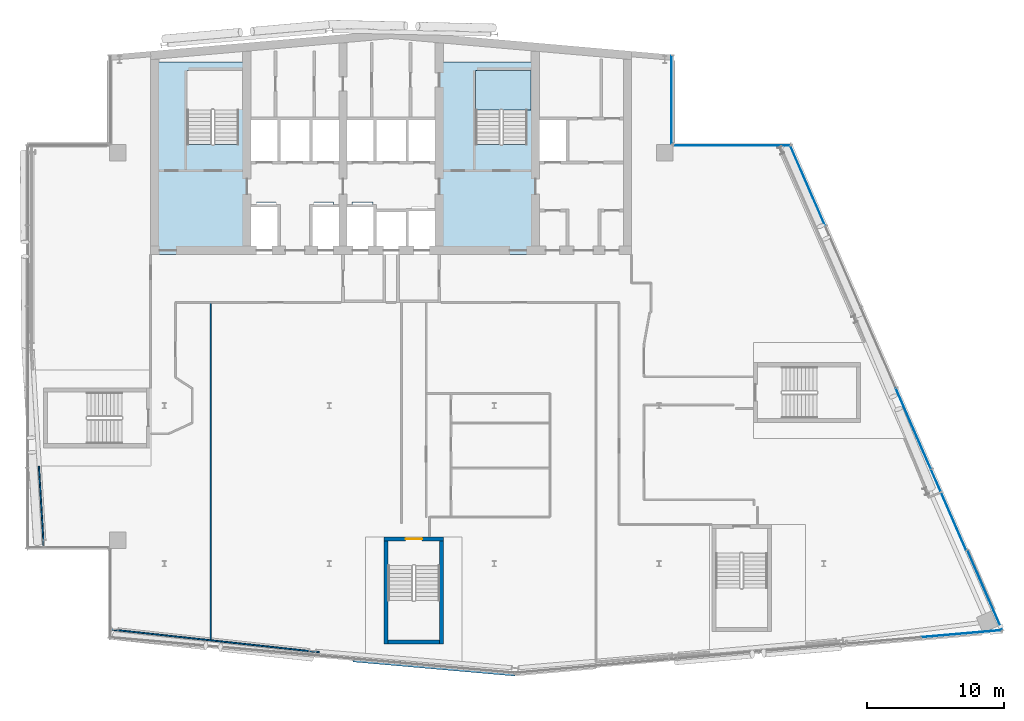
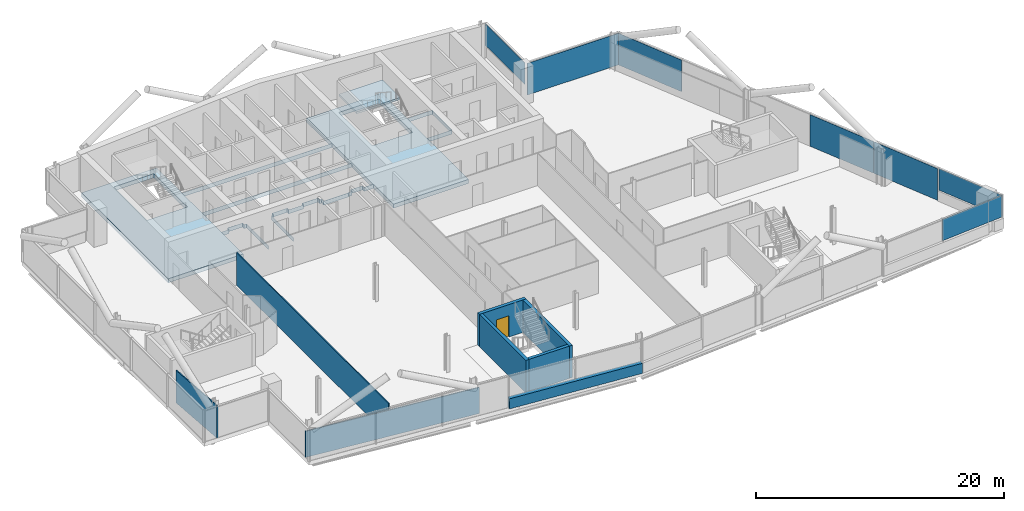
# One storey, part 14 of 25: 8 walls, 7 plates, 2 slabs, 1 door, 1 opening, 5 elements without a shape of their own.
"""IFC4 building model written with IfcOpenShell, lengths in metres."""

from ifc_helpers import new_model, si_unit, direction, frame, frame_2d, origin, origin_2d, place, context, subcontext, project, spatial, polyline, rectangle, outline, extrude, material, layer, layer_set, type_object, element, fill, aggregate, save


model = new_model("IFC4")

# Units and contexts
model_context = context("Model", 3, precision=1e-05, world=origin(), true_north=direction((0.0, 1.0)))
body_context = subcontext(model_context, "Body", "Model", "MODEL_VIEW")
ifc_project = project(units=[si_unit("LENGTHUNIT", "METRE"), si_unit("AREAUNIT", "SQUARE_METRE"), si_unit("VOLUMEUNIT", "CUBIC_METRE"), si_unit("PLANEANGLEUNIT", "RADIAN"), si_unit("MASSUNIT", "GRAM", prefix="KILO")], contexts=[model_context])

# Site, building, storey
site_placement = place(None, origin())
site = spatial("IfcSite", under=ifc_project, at=site_placement, CompositionType="ELEMENT")
building_placement = place(site_placement, origin())
building = spatial("IfcBuilding", under=site, at=building_placement, Name="Wharfspan Tower", CompositionType="ELEMENT")
storey_placement = place(building_placement, frame((0.0, 0.0, 239.5)))
storey = spatial("IfcBuildingStorey", under=building, at=storey_placement, Name="L60", CompositionType="ELEMENT", Elevation=239.5)

# Curtain wall, plate
ifc_material_1 = material(Name="Aluminium 6063-T6", Category="aluminium")
curtain_wall_type_1 = type_object("IfcCurtainWallType", Name="CURTAIN WALL FACETED FRONT", PredefinedType="NOTDEFINED", material=ifc_material_1)
curtain_wall_1_placement = place(storey_placement, origin())
curtain_wall_1 = element("IfcCurtainWall", 1, at=curtain_wall_1_placement, inside=storey, type_object=curtain_wall_type_1, Name="Curtain wall S2", PredefinedType="NOTDEFINED")
ifc_material_2 = material(Name="Glass clear low-iron double glazing", Category="glass")
ifc_layer_1 = layer(ifc_material_2, 0.040039)
ifc_layer_set_1 = layer_set([ifc_layer_1], Name="Glass clear low-iron double glazing")
plate_type_1 = type_object("IfcPlateType", Name="GLASS PANEL FACETED FRONT 40", PredefinedType="CURTAIN_PANEL", material=ifc_layer_set_1)
plate_1_placement = place(storey_placement, frame((82.021484, 6.399658, 1.0), z_axis=(0.0, 0.0, 1.0), x_axis=(0.996197, 0.087156, 0.0)))
plate_1 = element("IfcPlate", 2, at=plate_1_placement, type_object=plate_type_1, Name="Curtain wall S2 panel 6", PredefinedType="CURTAIN_PANEL", context=body_context, shape_type="SweptSolid", body=[
    extrude(rectangle(XDim=5.849365, YDim=0.040039, at=origin_2d()), origin(), (0.0, 0.0, 1.0), 2.120117),
])
aggregate(curtain_wall_1, [plate_1])

curtain_wall_type_2 = type_object("IfcCurtainWallType", Name="CURTAIN WALL PROW AND END", PredefinedType="NOTDEFINED", material=ifc_material_1)
curtain_wall_2_placement = place(storey_placement, origin())
curtain_wall_2 = element("IfcCurtainWall", 3, at=curtain_wall_2_placement, inside=storey, type_object=curtain_wall_type_2, Name="Curtain wall E", PredefinedType="NOTDEFINED")
ifc_layer_2 = layer(ifc_material_2, 0.040039)
ifc_layer_set_2 = layer_set([ifc_layer_2], Name="Glass clear low-iron double glazing")
plate_type_2 = type_object("IfcPlateType", Name="GLASS PANEL PROW AND END 40", PredefinedType="CURTAIN_PANEL", material=ifc_layer_set_2)
plate_2_placement = place(storey_placement, frame((83.711426, 9.563721, 1.0), z_axis=(0.0, 0.0, 1.0), x_axis=(-0.398727, 0.917072, 0.0)))
plate_2 = element("IfcPlate", 4, at=plate_2_placement, type_object=plate_type_2, Name="Curtain wall E panel 1", PredefinedType="CURTAIN_PANEL", context=body_context, shape_type="SweptSolid", body=[
    extrude(rectangle(XDim=6.343506, YDim=0.040039, at=origin_2d()), origin(), (0.0, 0.0, 1.0), 2.120117),
])

curtain_wall_3_placement = place(storey_placement, origin())
curtain_wall_3 = element("IfcCurtainWall", 5, at=curtain_wall_3_placement, inside=storey, type_object=curtain_wall_type_2, Name="Curtain wall NRE-V", PredefinedType="NOTDEFINED")
plate_3_placement = place(storey_placement, frame((60.919922, 45.262451, 1.0), z_axis=(0.0, 0.0, 1.0), x_axis=(0.0, 1.0, 0.0)))
plate_3 = element("IfcPlate", 6, at=plate_3_placement, type_object=plate_type_2, Name="Curtain wall NRE-V panel 1", PredefinedType="CURTAIN_PANEL", context=body_context, shape_type="SweptSolid", body=[
    extrude(rectangle(XDim=6.405029, YDim=0.040039, at=origin_2d()), origin(), (0.0, 0.0, 1.0), 2.120117),
])
aggregate(curtain_wall_3, [plate_3])

# Plate
ifc_material_3 = material(Name="Aluminium composite opaque insulated panel", Category="aluminium")
ifc_layer_3 = layer(ifc_material_3, 0.040039)
ifc_layer_set_3 = layer_set([ifc_layer_3], Name="Aluminium composite opaque insulated panel")
plate_type_3 = type_object("IfcPlateType", Name="INFILL PANEL PROW AND END OPAQUE 40", PredefinedType="SHEET", material=ifc_layer_set_3)
plate_4_placement = place(storey_placement, frame((81.078857, 15.418213, 0.0), z_axis=(0.0, 0.0, 1.0), x_axis=(-0.398727, 0.917072, 0.0)))
plate_4 = element("IfcPlate", 7, at=plate_4_placement, type_object=plate_type_3, Name="Curtain wall E panel 2", PredefinedType="SHEET", context=body_context, shape_type="SweptSolid", body=[
    extrude(rectangle(XDim=6.373535, YDim=0.040039, at=origin_2d()), origin(), (0.0, 0.0, 1.0), 3.120117),
])

plate_5_placement = place(storey_placement, frame((78.513672, 21.318115, 0.0), z_axis=(0.0, 0.0, 1.0), x_axis=(-0.398727, 0.917072, 0.0)))
plate_5 = element("IfcPlate", 8, at=plate_5_placement, type_object=plate_type_3, Name="Curtain wall E panel 3", PredefinedType="SHEET", context=body_context, shape_type="SweptSolid", body=[
    extrude(rectangle(XDim=6.373535, YDim=0.040039, at=origin_2d()), origin(), (0.0, 0.0, 1.0), 3.120117),
])

plate_6_placement = place(storey_placement, frame((70.823975, 39.004395, 0.0), z_axis=(0.0, 0.0, 1.0), x_axis=(-0.398727, 0.917072, 0.0)))
plate_6 = element("IfcPlate", 9, at=plate_6_placement, type_object=plate_type_3, Name="Curtain wall E panel 6", PredefinedType="SHEET", context=body_context, shape_type="SweptSolid", body=[
    extrude(rectangle(XDim=6.343506, YDim=0.040039, at=origin_2d()), origin(), (0.0, 0.0, 1.0), 3.120117),
])

aggregate(curtain_wall_2, [plate_2, plate_4, plate_5, plate_6])

# Curtain wall, plate
curtain_wall_4_placement = place(storey_placement, origin())
curtain_wall_4 = element("IfcCurtainWall", 10, at=curtain_wall_4_placement, inside=storey, type_object=curtain_wall_type_2, Name="Curtain wall NRE-H", PredefinedType="NOTDEFINED")
plate_7_placement = place(storey_placement, frame((65.304443, 41.919922, 0.0), z_axis=(0.0, 0.0, 1.0), x_axis=(-1.0, 0.0, 0.0)))
plate_7 = element("IfcPlate", 11, at=plate_7_placement, type_object=plate_type_3, Name="Curtain wall NRE-H panel 1", PredefinedType="SHEET", context=body_context, shape_type="SweptSolid", body=[
    extrude(rectangle(XDim=8.48877, YDim=0.040039, at=origin_2d()), origin(), (0.0, 0.0, 1.0), 3.120117),
])
aggregate(curtain_wall_4, [plate_7])

# Slab
ifc_material_4 = material(Name="Concrete C40/50", Category="concrete")
ifc_layer_4 = layer(ifc_material_4, 0.399902)
ifc_layer_set_4 = layer_set([ifc_layer_4], Name="Concrete C40/50")
slab_type_1 = type_object("IfcSlabType", Name="Post-tensioned flat slab 400", PredefinedType="FLOOR", material=ifc_layer_set_4)
slab_1_placement = place(storey_placement, frame((0.0, 0.0, -0.400146)))
element("IfcSlab", 12, at=slab_1_placement, inside=storey, type_object=slab_type_1, Name="Core floor slab L60 part 2", PredefinedType="FLOOR", context=body_context, shape_type="SweptSolid", body=[
    extrude(outline(polyline([(23.0, 34.0), (29.998047, 34.0), (29.998047, 37.550049), (29.998047, 37.550293), (29.998047, 37.550293), (29.998047, 37.550537), (29.998291, 37.550781), (29.998291, 37.550781), (29.998291, 37.551025), (29.998535, 37.55127), (29.998535, 37.551514), (29.998779, 37.551514), (29.998779, 37.551758), (29.999023, 37.551758), (29.999268, 37.551758), (29.999512, 37.552002), (29.999512, 37.552002), (29.999756, 37.552002), (30.0, 37.552002), (30.7146, 37.552002), (30.7146, 37.800049), (30.7146, 37.800293), (30.7146, 37.800293), (30.714844, 37.800537), (30.714844, 37.800781), (30.714844, 37.800781), (30.715088, 37.801025), (30.715088, 37.80127), (30.715332, 37.801514), (30.715332, 37.801514), (30.715576, 37.801758), (30.71582, 37.801758), (30.71582, 37.801758), (30.716064, 37.802002), (30.716309, 37.802002), (30.716553, 37.802002), (30.716797, 37.802002), (32.116699, 37.802002), (32.116943, 37.802002), (32.117188, 37.802002), (32.117188, 37.802002), (32.117432, 37.801758), (32.117676, 37.801758), (32.11792, 37.801758), (32.11792, 37.801514), (32.118164, 37.801514), (32.118164, 37.80127), (32.118408, 37.801025), (32.118408, 37.800781), (32.118408, 37.800781), (32.118652, 37.800537), (32.118652, 37.800293), (32.118652, 37.800293), (32.118652, 37.800049), (32.118652, 37.552002), (32.333252, 37.552002), (32.333496, 37.552002), (32.33374, 37.552002), (32.333984, 37.552002), (32.333984, 37.551758), (32.334229, 37.551758), (32.334473, 37.551758), (32.334717, 37.551514), (32.334717, 37.551514), (32.334961, 37.55127), (32.334961, 37.551025), (32.335205, 37.550781), (32.335205, 37.550781), (32.335205, 37.550537), (32.335205, 37.550293), (32.335205, 37.550293), (32.335205, 37.550049), (32.335205, 34.0), (32.341309, 34.0), (32.341309, 37.558105), (32.126709, 37.558105), (32.126465, 37.558105), (32.126221, 37.558105), (32.126221, 37.558105), (32.125977, 37.558105), (32.125732, 37.558105), (32.125488, 37.55835), (32.125488, 37.558594), (32.125244, 37.558594), (32.125244, 37.558594), (32.125, 37.558838), (32.125, 37.559082), (32.125, 37.559082), (32.124756, 37.559326), (32.124756, 37.55957), (32.124756, 37.559814), (32.124756, 37.560059), (32.124756, 37.808105), (30.70874, 37.808105), (30.70874, 37.560059), (30.70874, 37.559814), (30.70874, 37.55957), (30.708496, 37.559326), (30.708496, 37.559082), (30.708496, 37.559082), (30.708496, 37.558838), (30.708252, 37.558594), (30.708008, 37.558594), (30.708008, 37.558594), (30.707764, 37.55835), (30.70752, 37.558105), (30.70752, 37.558105), (30.707275, 37.558105), (30.707031, 37.558105), (30.706787, 37.558105), (30.706787, 37.558105), (30.01001, 37.558105), (30.009766, 37.558105), (30.009521, 37.558105), (30.009521, 37.558105), (30.009277, 37.558105), (30.009033, 37.558105), (30.008789, 37.55835), (30.008789, 37.558594), (30.008545, 37.558594), (30.008545, 37.558594), (30.008301, 37.558838), (30.008301, 37.559082), (30.008301, 37.559082), (30.008057, 37.559326), (30.008057, 37.55957), (30.008057, 37.559814), (30.008057, 37.560059), (30.008057, 40.689941), (30.008057, 40.690186), (30.008057, 40.69043), (30.008057, 40.690674), (30.008301, 40.690918), (30.008301, 40.690918), (30.008301, 40.691162), (30.008545, 40.691406), (30.008545, 40.691406), (30.008789, 40.691406), (30.008789, 40.69165), (30.009033, 40.691895), (30.009277, 40.691895), (30.009521, 40.691895), (30.009521, 40.691895), (30.009766, 40.691895), (30.01001, 40.691895), (43.98999, 40.691895), (43.990234, 40.691895), (43.990479, 40.691895), (43.990479, 40.691895), (43.990723, 40.691895), (43.990967, 40.691895), (43.991211, 40.69165), (43.991211, 40.691406), (43.991455, 40.691406), (43.991455, 40.691406), (43.991699, 40.691162), (43.991699, 40.690918), (43.991699, 40.690918), (43.991943, 40.690674), (43.991943, 40.69043), (43.991943, 40.690186), (43.991943, 40.689941), (43.991943, 37.26001), (43.991943, 37.259766), (43.991943, 37.259521), (43.991943, 37.259521), (43.991699, 37.259277), (43.991699, 37.259033), (43.991699, 37.258789), (43.991455, 37.258789), (43.991455, 37.258545), (43.991211, 37.258545), (43.991211, 37.258301), (43.990967, 37.258301), (43.990723, 37.258301), (43.990479, 37.258057), (43.990479, 37.258057), (43.990234, 37.258057), (43.98999, 37.258057), (43.143311, 37.258057), (43.143066, 37.258057), (43.142822, 37.258057), (43.142578, 37.258057), (43.142578, 37.258301), (43.142334, 37.258301), (43.14209, 37.258301), (43.14209, 37.258545), (43.141846, 37.258545), (43.141846, 37.258789), (43.141602, 37.258789), (43.141602, 37.259033), (43.141602, 37.259277), (43.141357, 37.259521), (43.141357, 37.259521), (43.141357, 37.259766), (43.141357, 37.26001), (43.141357, 37.508057), (42.025391, 37.508057), (42.025391, 37.26001), (42.025391, 37.259766), (42.025391, 37.259521), (42.025146, 37.259521), (42.025146, 37.259277), (42.025146, 37.259033), (42.024902, 37.258789), (42.024902, 37.258789), (42.024658, 37.258545), (42.024658, 37.258545), (42.024414, 37.258301), (42.02417, 37.258301), (42.02417, 37.258301), (42.023926, 37.258057), (42.023682, 37.258057), (42.023438, 37.258057), (42.023193, 37.258057), (41.658691, 37.258057), (41.658691, 37.209961), (41.658691, 37.209717), (41.658691, 37.209717), (41.658691, 37.209473), (41.658447, 37.209229), (41.658447, 37.208984), (41.658447, 37.208984), (41.658203, 37.20874), (41.658203, 37.208496), (41.657959, 37.208496), (41.657715, 37.208252), (41.657715, 37.208252), (41.657471, 37.208252), (41.657227, 37.208008), (41.656982, 37.208008), (41.656982, 37.208008), (41.656738, 37.208008), (39.343262, 37.208008), (39.343018, 37.208008), (39.343018, 37.208008), (39.342773, 37.208008), (39.342529, 37.208252), (39.342285, 37.208252), (39.342285, 37.208252), (39.342041, 37.208496), (39.341797, 37.208496), (39.341797, 37.20874), (39.341553, 37.208984), (39.341553, 37.208984), (39.341553, 37.209229), (39.341309, 37.209473), (39.341309, 37.209717), (39.341309, 37.209717), (39.341309, 37.209961), (39.341309, 37.558105), (39.166748, 37.558105), (39.166504, 37.558105), (39.16626, 37.558105), (39.166016, 37.558105), (39.166016, 37.558105), (39.165771, 37.558105), (39.165527, 37.55835), (39.165283, 37.558594), (39.165283, 37.558594), (39.165283, 37.558594), (39.165039, 37.558838), (39.164795, 37.559082), (39.164795, 37.559082), (39.164795, 37.559326), (39.164795, 37.55957), (39.164795, 37.559814), (39.164795, 37.560059), (39.164795, 37.808105), (37.668701, 37.808105), (37.668701, 37.560059), (37.668701, 37.559814), (37.668701, 37.55957), (37.668701, 37.559326), (37.668457, 37.559082), (37.668457, 37.559082), (37.668457, 37.558838), (37.668213, 37.558594), (37.668213, 37.558594), (37.667969, 37.558594), (37.667725, 37.55835), (37.66748, 37.558105), (37.66748, 37.558105), (37.667236, 37.558105), (37.666992, 37.558105), (37.666992, 37.558105), (37.666748, 37.558105), (36.293213, 37.558105), (36.293213, 37.558105), (36.292969, 37.558105), (36.292725, 37.558105), (36.29248, 37.558105), (36.29248, 37.558105), (36.292236, 37.55835), (36.291992, 37.558594), (36.291992, 37.558594), (36.291748, 37.558594), (36.291504, 37.558838), (36.291504, 37.559082), (36.291504, 37.559082), (36.291504, 37.559326), (36.29126, 37.55957), (36.29126, 37.559814), (36.29126, 37.560059), (36.29126, 37.808105), (34.875244, 37.808105), (34.875244, 37.560059), (34.875244, 37.559814), (34.875244, 37.55957), (34.875244, 37.559326), (34.875, 37.559082), (34.875, 37.559082), (34.875, 37.558838), (34.874756, 37.558594), (34.874756, 37.558594), (34.874512, 37.558594), (34.874512, 37.55835), (34.874268, 37.558105), (34.874023, 37.558105), (34.873779, 37.558105), (34.873779, 37.558105), (34.873535, 37.558105), (34.873291, 37.558105), (34.658691, 37.558105), (34.658691, 34.0), (34.664795, 34.0), (34.664795, 37.550049), (34.664795, 37.550293), (34.664795, 37.550293), (34.664795, 37.550537), (34.664795, 37.550781), (34.664795, 37.550781), (34.665039, 37.551025), (34.665039, 37.55127), (34.665283, 37.551514), (34.665283, 37.551514), (34.665527, 37.551758), (34.665771, 37.551758), (34.666016, 37.551758), (34.666016, 37.552002), (34.66626, 37.552002), (34.666504, 37.552002), (34.666748, 37.552002), (34.881348, 37.552002), (34.881348, 37.800049), (34.881348, 37.800293), (34.881348, 37.800293), (34.881348, 37.800537), (34.881592, 37.800781), (34.881592, 37.800781), (34.881592, 37.801025), (34.881836, 37.80127), (34.881836, 37.801514), (34.88208, 37.801514), (34.88208, 37.801758), (34.882324, 37.801758), (34.882568, 37.801758), (34.882812, 37.802002), (34.882812, 37.802002), (34.883057, 37.802002), (34.883301, 37.802002), (36.283203, 37.802002), (36.283447, 37.802002), (36.283691, 37.802002), (36.283936, 37.802002), (36.28418, 37.801758), (36.28418, 37.801758), (36.284424, 37.801758), (36.284668, 37.801514), (36.284668, 37.801514), (36.284912, 37.80127), (36.284912, 37.801025), (36.285156, 37.800781), (36.285156, 37.800781), (36.285156, 37.800537), (36.2854, 37.800293), (36.2854, 37.800293), (36.2854, 37.800049), (36.2854, 37.552002), (37.674805, 37.552002), (37.674805, 37.800049), (37.674805, 37.800293), (37.674805, 37.800293), (37.674805, 37.800537), (37.674805, 37.800781), (37.674805, 37.800781), (37.675049, 37.801025), (37.675049, 37.80127), (37.675293, 37.801514), (37.675293, 37.801514), (37.675537, 37.801758), (37.675781, 37.801758), (37.675781, 37.801758), (37.676025, 37.802002), (37.67627, 37.802002), (37.676514, 37.802002), (37.676758, 37.802002), (39.156738, 37.802002), (39.156982, 37.802002), (39.156982, 37.802002), (39.157227, 37.802002), (39.157471, 37.801758), (39.157715, 37.801758), (39.157715, 37.801758), (39.157959, 37.801514), (39.158203, 37.801514), (39.158203, 37.80127), (39.158203, 37.801025), (39.158447, 37.800781), (39.158447, 37.800781), (39.158691, 37.800537), (39.158691, 37.800293), (39.158691, 37.800293), (39.158691, 37.800049), (39.158691, 37.552002), (39.333252, 37.552002), (39.333496, 37.552002), (39.33374, 37.552002), (39.333984, 37.552002), (39.333984, 37.551758), (39.334229, 37.551758), (39.334473, 37.551758), (39.334717, 37.551514), (39.334717, 37.551514), (39.334961, 37.55127), (39.334961, 37.551025), (39.335205, 37.550781), (39.335205, 37.550781), (39.335205, 37.550537), (39.335205, 37.550293), (39.335205, 37.550293), (39.335205, 37.550049), (39.335205, 37.201904), (41.664795, 37.201904), (41.664795, 37.25), (41.664795, 37.250244), (41.664795, 37.250488), (41.664795, 37.250488), (41.664795, 37.250732), (41.664795, 37.250977), (41.665039, 37.251221), (41.665039, 37.251221), (41.665283, 37.251465), (41.665283, 37.251465), (41.665527, 37.251709), (41.665771, 37.251709), (41.666016, 37.251709), (41.666016, 37.251953), (41.66626, 37.251953), (41.666504, 37.251953), (41.666748, 37.251953), (42.03125, 37.251953), (42.03125, 37.5), (42.03125, 37.500244), (42.031494, 37.500488), (42.031494, 37.500488), (42.031494, 37.500732), (42.031494, 37.500977), (42.031738, 37.501221), (42.031738, 37.501221), (42.031982, 37.501465), (42.031982, 37.501465), (42.032227, 37.501709), (42.032471, 37.501709), (42.032715, 37.501709), (42.032715, 37.501953), (42.032959, 37.501953), (42.033203, 37.501953), (42.033203, 37.501953), (43.133301, 37.501953), (43.133545, 37.501953), (43.133789, 37.501953), (43.133789, 37.501953), (43.134033, 37.501709), (43.134277, 37.501709), (43.134521, 37.501709), (43.134521, 37.501465), (43.134766, 37.501465), (43.13501, 37.501221), (43.13501, 37.501221), (43.13501, 37.500977), (43.135254, 37.500732), (43.135254, 37.500488), (43.135254, 37.500488), (43.135254, 37.500244), (43.135254, 37.5), (43.135254, 37.251953), (44.0, 37.251953), (44.000244, 37.251953), (44.000488, 37.251953), (44.000488, 37.251953), (44.000732, 37.251709), (44.000977, 37.251709), (44.001221, 37.251709), (44.001221, 37.251465), (44.001465, 37.251465), (44.001465, 37.251221), (44.001709, 37.251221), (44.001709, 37.250977), (44.001709, 37.250732), (44.001953, 37.250488), (44.001953, 37.250488), (44.001953, 37.250244), (44.001953, 37.25), (44.001953, 34.0), (51.0, 34.0), (51.008057, 34.0), (51.008057, 40.689941), (51.008057, 40.690186), (51.008057, 40.69043), (51.008057, 40.690674), (51.008301, 40.690918), (51.008301, 40.690918), (51.008301, 40.691162), (51.008545, 40.691406), (51.008545, 40.691406), (51.008789, 40.691406), (51.008789, 40.69165), (51.009033, 40.691895), (51.009277, 40.691895), (51.009521, 40.691895), (51.009521, 40.691895), (51.009766, 40.691895), (51.01001, 40.691895), (53.341309, 40.691895), (53.341309, 43.907959), (51.01001, 43.907959), (51.009766, 43.907959), (51.009521, 43.907959), (51.009521, 43.908203), (51.009277, 43.908203), (51.009033, 43.908203), (51.008789, 43.908203), (51.008789, 43.908447), (51.008545, 43.908691), (51.008545, 43.908691), (51.008301, 43.908936), (51.008301, 43.90918), (51.008301, 43.90918), (51.008057, 43.909424), (51.008057, 43.909668), (51.008057, 43.909912), (51.008057, 43.909912), (51.008057, 48.008057), (43.991943, 48.008057), (43.991943, 43.909912), (43.991943, 43.909912), (43.991943, 43.909668), (43.991943, 43.909424), (43.991699, 43.90918), (43.991699, 43.90918), (43.991699, 43.908936), (43.991455, 43.908691), (43.991455, 43.908691), (43.991211, 43.908447), (43.991211, 43.908203), (43.990967, 43.908203), (43.990723, 43.908203), (43.990479, 43.908203), (43.990479, 43.907959), (43.990234, 43.907959), (43.98999, 43.907959), (30.01001, 43.907959), (30.009766, 43.907959), (30.009521, 43.907959), (30.009521, 43.908203), (30.009277, 43.908203), (30.009033, 43.908203), (30.008789, 43.908203), (30.008789, 43.908447), (30.008545, 43.908691), (30.008545, 43.908691), (30.008301, 43.908936), (30.008301, 43.90918), (30.008301, 43.90918), (30.008057, 43.909424), (30.008057, 43.909668), (30.008057, 43.909912), (30.008057, 43.909912), (30.008057, 48.008057), (23.0, 48.008057), (23.0, 48.0), (23.0, 34.0)]), holes=[polyline([(53.333252, 43.9021), (53.333496, 43.9021), (53.33374, 43.9021), (53.333984, 43.901855), (53.333984, 43.901855), (53.334229, 43.901855), (53.334473, 43.901611), (53.334717, 43.901611), (53.334717, 43.901367), (53.334961, 43.901367), (53.334961, 43.901123), (53.335205, 43.900879), (53.335205, 43.900879), (53.335205, 43.900635), (53.335205, 43.900391), (53.335205, 43.900146), (53.335205, 43.899902), (53.335205, 40.699951), (53.335205, 40.699707), (53.335205, 40.699707), (53.335205, 40.699463), (53.335205, 40.699219), (53.335205, 40.699219), (53.334961, 40.698975), (53.334961, 40.69873), (53.334717, 40.698486), (53.334717, 40.698486), (53.334473, 40.698242), (53.334229, 40.698242), (53.333984, 40.698242), (53.333984, 40.697998), (53.33374, 40.697998), (53.333496, 40.697998), (53.333252, 40.697998), (51.0, 40.697998), (50.999756, 40.697998), (50.999512, 40.697998), (50.999512, 40.697998), (50.999268, 40.698242), (50.999023, 40.698242), (50.998779, 40.698242), (50.998779, 40.698486), (50.998535, 40.698486), (50.998535, 40.69873), (50.998291, 40.698975), (50.998291, 40.699219), (50.998291, 40.699219), (50.998047, 40.699463), (50.998047, 40.699707), (50.998047, 40.699707), (50.998047, 40.699951), (50.998047, 43.899902), (50.998047, 43.900146), (50.998047, 43.900391), (50.998047, 43.900635), (50.998291, 43.900879), (50.998291, 43.900879), (50.998291, 43.901123), (50.998535, 43.901367), (50.998535, 43.901367), (50.998779, 43.901611), (50.998779, 43.901611), (50.999023, 43.901855), (50.999268, 43.901855), (50.999512, 43.901855), (50.999512, 43.9021), (50.999756, 43.9021), (51.0, 43.9021), (53.333252, 43.9021)]), polyline([(46.649902, 41.998047), (46.649902, 41.998047), (46.649658, 41.998047), (46.649414, 41.998047), (46.64917, 41.998291), (46.64917, 41.998291), (46.648926, 41.998291), (46.648682, 41.998535), (46.648682, 41.998535), (46.648438, 41.998779), (46.648193, 41.998779), (46.648193, 41.999023), (46.648193, 41.999268), (46.648193, 41.999512), (46.647949, 41.999512), (46.647949, 41.999756), (46.647949, 42.0), (46.647949, 47.399902), (46.647949, 47.400146), (46.647949, 47.400391), (46.648193, 47.400635), (46.648193, 47.400879), (46.648193, 47.400879), (46.648193, 47.401123), (46.648438, 47.401367), (46.648682, 47.401367), (46.648682, 47.401611), (46.648926, 47.401611), (46.64917, 47.401855), (46.64917, 47.401855), (46.649414, 47.401855), (46.649658, 47.4021), (46.649902, 47.4021), (46.649902, 47.4021), (50.399902, 47.4021), (50.400146, 47.4021), (50.400391, 47.4021), (50.400635, 47.401855), (50.400879, 47.401855), (50.400879, 47.401855), (50.401123, 47.401611), (50.401367, 47.401611), (50.401367, 47.401367), (50.401611, 47.401367), (50.401611, 47.401123), (50.401855, 47.400879), (50.401855, 47.400879), (50.401855, 47.400635), (50.4021, 47.400391), (50.4021, 47.400146), (50.4021, 47.399902), (50.4021, 42.0), (50.4021, 41.999756), (50.4021, 41.999512), (50.401855, 41.999512), (50.401855, 41.999268), (50.401855, 41.999023), (50.401611, 41.998779), (50.401611, 41.998779), (50.401367, 41.998535), (50.401367, 41.998535), (50.401123, 41.998291), (50.400879, 41.998291), (50.400879, 41.998291), (50.400635, 41.998047), (50.400391, 41.998047), (50.400146, 41.998047), (50.399902, 41.998047), (46.649902, 41.998047)]), polyline([(44.0, 43.9021), (44.000244, 43.9021), (44.000488, 43.9021), (44.000488, 43.901855), (44.000732, 43.901855), (44.000977, 43.901855), (44.001221, 43.901611), (44.001221, 43.901611), (44.001465, 43.901367), (44.001465, 43.901367), (44.001709, 43.901123), (44.001709, 43.900879), (44.001709, 43.900879), (44.001953, 43.900635), (44.001953, 43.900391), (44.001953, 43.900146), (44.001953, 43.899902), (44.001953, 40.699951), (44.001953, 40.699707), (44.001953, 40.699707), (44.001953, 40.699463), (44.001709, 40.699219), (44.001709, 40.699219), (44.001709, 40.698975), (44.001465, 40.69873), (44.001465, 40.698486), (44.001221, 40.698486), (44.001221, 40.698242), (44.000977, 40.698242), (44.000732, 40.698242), (44.000488, 40.697998), (44.000488, 40.697998), (44.000244, 40.697998), (44.0, 40.697998), (30.0, 40.697998), (29.999756, 40.697998), (29.999512, 40.697998), (29.999512, 40.697998), (29.999268, 40.698242), (29.999023, 40.698242), (29.998779, 40.698242), (29.998779, 40.698486), (29.998535, 40.698486), (29.998535, 40.69873), (29.998291, 40.698975), (29.998291, 40.699219), (29.998291, 40.699219), (29.998047, 40.699463), (29.998047, 40.699707), (29.998047, 40.699707), (29.998047, 40.699951), (29.998047, 43.899902), (29.998047, 43.900146), (29.998047, 43.900391), (29.998047, 43.900635), (29.998291, 43.900879), (29.998291, 43.900879), (29.998291, 43.901123), (29.998535, 43.901367), (29.998535, 43.901367), (29.998779, 43.901611), (29.998779, 43.901611), (29.999023, 43.901855), (29.999268, 43.901855), (29.999512, 43.901855), (29.999512, 43.9021), (29.999756, 43.9021), (30.0, 43.9021), (44.0, 43.9021)]), polyline([(29.4021, 42.0), (29.4021, 41.999756), (29.4021, 41.999512), (29.401855, 41.999512), (29.401855, 41.999268), (29.401855, 41.999023), (29.401611, 41.998779), (29.401611, 41.998779), (29.401367, 41.998535), (29.401367, 41.998535), (29.401123, 41.998291), (29.400879, 41.998291), (29.400879, 41.998291), (29.400635, 41.998047), (29.400391, 41.998047), (29.400146, 41.998047), (29.399902, 41.998047), (25.649902, 41.998047), (25.649902, 41.998047), (25.649658, 41.998047), (25.649414, 41.998047), (25.64917, 41.998291), (25.64917, 41.998291), (25.648926, 41.998291), (25.648682, 41.998535), (25.648682, 41.998535), (25.648438, 41.998779), (25.648193, 41.998779), (25.648193, 41.999023), (25.648193, 41.999268), (25.648193, 41.999512), (25.647949, 41.999512), (25.647949, 41.999756), (25.647949, 42.0), (25.647949, 47.399902), (25.647949, 47.400146), (25.647949, 47.400391), (25.648193, 47.400635), (25.648193, 47.400879), (25.648193, 47.400879), (25.648193, 47.401123), (25.648438, 47.401367), (25.648682, 47.401367), (25.648682, 47.401611), (25.648926, 47.401611), (25.64917, 47.401855), (25.64917, 47.401855), (25.649414, 47.401855), (25.649658, 47.4021), (25.649902, 47.4021), (25.649902, 47.4021), (29.399902, 47.4021), (29.400146, 47.4021), (29.400391, 47.4021), (29.400635, 47.401855), (29.400879, 47.401855), (29.400879, 47.401855), (29.401123, 47.401611), (29.401367, 47.401611), (29.401367, 47.401367), (29.401611, 47.401367), (29.401611, 47.401123), (29.401855, 47.400879), (29.401855, 47.400879), (29.401855, 47.400635), (29.4021, 47.400391), (29.4021, 47.400146), (29.4021, 47.399902), (29.4021, 42.0)])]), origin(), (0.0, 0.0, 1.0), 0.400146),
])

# Stair, slab
stair_type = type_object("IfcStairType", Name="Half-turn stair 20 risers 180 mm", PredefinedType="HALF_TURN_STAIR", material=ifc_material_4)
stair_placement = place(storey_placement, origin())
stair = element("IfcStair", 13, at=stair_placement, inside=storey, type_object=stair_type, Name="L60 stair ST2", PredefinedType="HALF_TURN_STAIR")
ifc_layer_5 = layer(ifc_material_4, 0.199951)
ifc_layer_set_5 = layer_set([ifc_layer_5], Name="Concrete C40/50")
slab_type_2 = type_object("IfcSlabType", Name="Stair landing 200", PredefinedType="LANDING", material=ifc_layer_set_5)
slab_2_placement = place(storey_placement, frame((0.0, 0.0, 1.599854)))
slab_2 = element("IfcSlab", 14, at=slab_2_placement, type_object=slab_type_2, Name="ST2 landing 1", PredefinedType="LANDING", context=body_context, shape_type="SweptSolid", body=[
    extrude(outline(polyline([(46.649902, 44.52002), (50.699951, 44.52002), (50.699951, 47.399902), (46.649902, 47.399902), (46.649902, 44.52002)])), origin(), (0.0, 0.0, 1.0), 0.200195),
])
aggregate(stair, [slab_2])

# Walls
ifc_material_5 = material(Name="Gypsum board on steel studs", Category="steel")
ifc_layer_6 = layer(ifc_material_5, 0.100098)
ifc_layer_set_6 = layer_set([ifc_layer_6], Name="Gypsum board on steel studs")
wall_type_1 = type_object("IfcWallType", Name="Compartment wall 100 EI 60", PredefinedType="PARTITIONING", material=ifc_layer_set_6)
wall_1_placement = place(storey_placement, frame((27.375, 5.915039, 0.0), z_axis=(0.0, 0.0, 1.0), x_axis=(0.0, 1.0, 0.0)))
element("IfcWall", 15, at=wall_1_placement, inside=storey, type_object=wall_type_1, Name="Partition L60.w011", PredefinedType="PARTITIONING", context=body_context, shape_type="SweptSolid", body=[
    extrude(rectangle(XDim=24.584961, YDim=0.100098, at=frame_2d((12.29248, 0.0))), origin(), (0.0, 0.0, 1.0), 3.199951),
])
ifc_layer_7 = layer(ifc_material_5, 0.100098)
ifc_layer_set_7 = layer_set([ifc_layer_7], Name="Gypsum board on steel studs")
wall_type_2 = type_object("IfcWallType", Name="Partition 100", PredefinedType="PARTITIONING", material=ifc_layer_set_7)
wall_2_placement = place(storey_placement, frame((15.223877, 12.620117, 0.0), z_axis=(0.0, 0.0, 1.0), x_axis=(-0.060759, 0.998149, 0.0)))
element("IfcWall", 16, at=wall_2_placement, inside=storey, type_object=wall_type_2, Name="Partition L60.w003", PredefinedType="PARTITIONING", context=body_context, shape_type="SweptSolid", body=[
    extrude(rectangle(XDim=5.970947, YDim=0.100098, at=frame_2d((2.985352, 0.0))), origin(), (0.0, 0.0, 1.0), 3.199951),
])
wall_3_placement = place(storey_placement, frame((35.274902, 5.054932, 0.0), z_axis=(0.0, 0.0, 1.0), x_axis=(-0.994128, 0.108228, 0.0)))
element("IfcWall", 17, at=wall_3_placement, inside=storey, type_object=wall_type_2, Name="Partition L60.w012", PredefinedType="PARTITIONING", context=body_context, shape_type="SweptSolid", body=[
    extrude(rectangle(XDim=15.334961, YDim=0.100098, at=frame_2d((7.66748, 0.0))), origin(), (0.0, 0.0, 1.0), 2.580078),
])
ifc_layer_8 = layer(ifc_material_4, 0.350098)
ifc_layer_set_8 = layer_set([ifc_layer_8], Name="Concrete C40/50")
wall_type_3 = type_object("IfcWallType", Name="SPANDREL EXPOSED CONCRETE 350", PredefinedType="SOLIDWALL", material=ifc_layer_set_8)
wall_4_placement = place(storey_placement, frame((37.729492, 4.519043, 0.0), z_axis=(0.0, 0.0, 1.0), x_axis=(0.99619, -0.087167, 0.0)))
element("IfcWall", 18, at=wall_4_placement, inside=storey, type_object=wall_type_3, Name="Spandrel upstand L60 S1", PredefinedType="SOLIDWALL", context=body_context, shape_type="SweptSolid", body=[
    extrude(rectangle(XDim=11.830566, YDim=0.350098, at=frame_2d((5.915283, 0.0))), origin(), (0.0, 0.0, 1.0), 1.0),
])

# Wall, opening, door
ifc_layer_9 = layer(ifc_material_4, 0.300049)
ifc_layer_set_9 = layer_set([ifc_layer_9], Name="Concrete C40/50")
wall_type_4 = type_object("IfcWallType", Name="Stair core wall 300", PredefinedType="SHEAR", material=ifc_layer_set_9)
wall_5_placement = place(storey_placement, frame((39.977051, 13.293213, 0.0), z_axis=(0.0, 0.0, 1.0), x_axis=(1.0, 0.0, 0.0)))
wall_5 = element("IfcWall", 19, at=wall_5_placement, inside=storey, type_object=wall_type_4, Name="ST4 stair enclosure wall L60", PredefinedType="SHEAR", context=body_context, shape_type="SweptSolid", body=[
    extrude(rectangle(XDim=4.350098, YDim=0.300049, at=frame_2d((2.175049, 0.0))), origin(), (0.0, 0.0, 1.0), 3.199951),
])
opening_placement = place(wall_5_placement, frame((1.574951, 0.0, 0.0)))
opening = element("IfcOpeningElement", 20, at=opening_placement, cuts=wall_5, Name="Opening SD4.L60", PredefinedType="OPENING", context=body_context, shape_type="SweptSolid", body=[
    extrude(rectangle(XDim=1.199951, YDim=2.100098, at=frame_2d((0.600098, 1.050049))), frame((0.0, 0.159912, 0.0), z_axis=(0.0, -1.0, 0.0), x_axis=(1.0, 0.0, 0.0)), (0.0, 0.0, 1.0), 0.320068),
])
ifc_material_6 = material(Name="Steel door leaf", Category="steel")
door_type = type_object("IfcDoorType", Name="Stair door 1200x2100", OperationType="SINGLE_SWING_LEFT", PredefinedType="DOOR", material=ifc_material_6)
door_placement = place(opening_placement, origin())
door = element("IfcDoor", 21, at=door_placement, inside=storey, type_object=door_type, Name="sd:L60:ST4z4", OperationType="SINGLE_SWING_RIGHT", OverallHeight=2.100098, OverallWidth=1.199951, PredefinedType="DOOR", context=body_context, shape_type="SweptSolid", body=[
    extrude(rectangle(XDim=1.199951, YDim=2.100098, at=frame_2d((0.600098, 1.050049))), frame((0.0, 0.024902, 0.0), z_axis=(0.0, -1.0, 0.0), x_axis=(1.0, 0.0, 0.0)), (0.0, 0.0, 1.0), 0.050049),
])
fill(opening, door)

# Walls
for number, where, z_axis, x_axis, name in (
    (22, (40.127197, 5.643311, 0.0), (0.0, 0.0, 1.0), (0.0, 1.0, 0.0), "ST4 stair enclosure wall L60"),
    (23, (44.177002, 5.643311, 0.0), (0.0, 0.0, 1.0), (0.0, 1.0, 0.0), "ST4 stair enclosure wall L60"),
):
    element("IfcWall", number, at=place(storey_placement, frame(where, z_axis=z_axis, x_axis=x_axis)), inside=storey, type_object=wall_type_4, Name=name, PredefinedType="SHEAR", context=body_context, shape_type="SweptSolid", body=[
        extrude(rectangle(XDim=7.5, YDim=0.300049, at=frame_2d((3.75, 0.0))), origin(), (0.0, 0.0, 1.0), 3.199951),
    ])
wall_6_placement = place(storey_placement, frame((40.2771, 5.793213, 0.0), z_axis=(0.0, 0.0, 1.0), x_axis=(1.0, 0.0, 0.0)))
element("IfcWall", 24, at=wall_6_placement, inside=storey, type_object=wall_type_4, Name="ST4 stair enclosure wall L60", PredefinedType="SHEAR", context=body_context, shape_type="SweptSolid", body=[
    extrude(rectangle(XDim=3.75, YDim=0.300049, at=frame_2d((1.875, 0.0))), origin(), (0.0, 0.0, 1.0), 3.199951),
])

save(model, "model.ifc")
